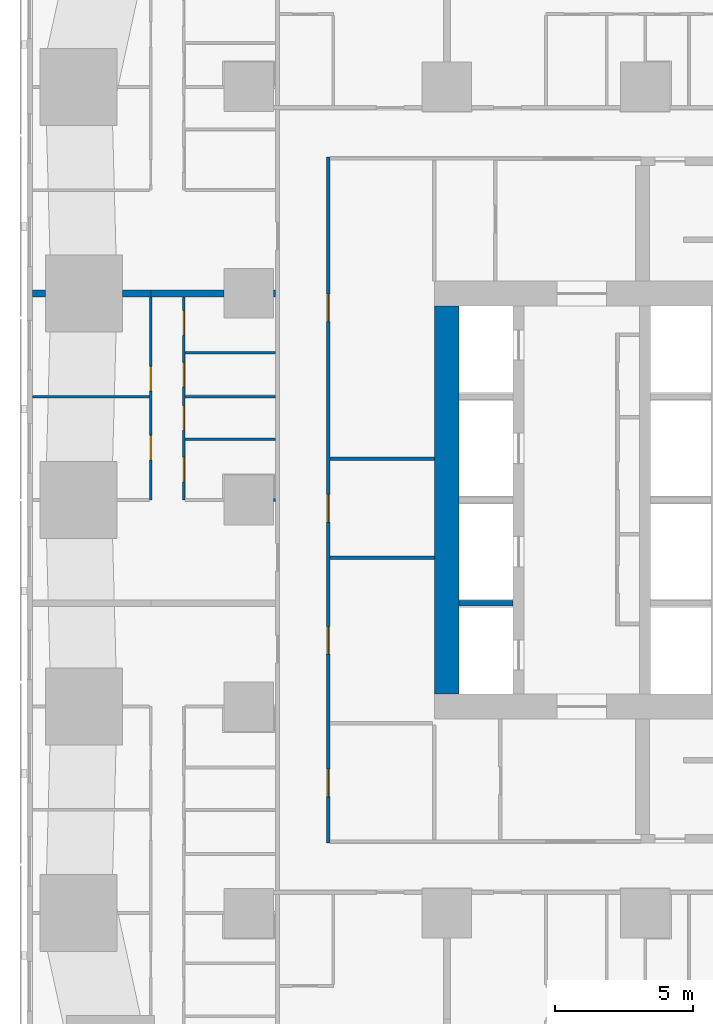
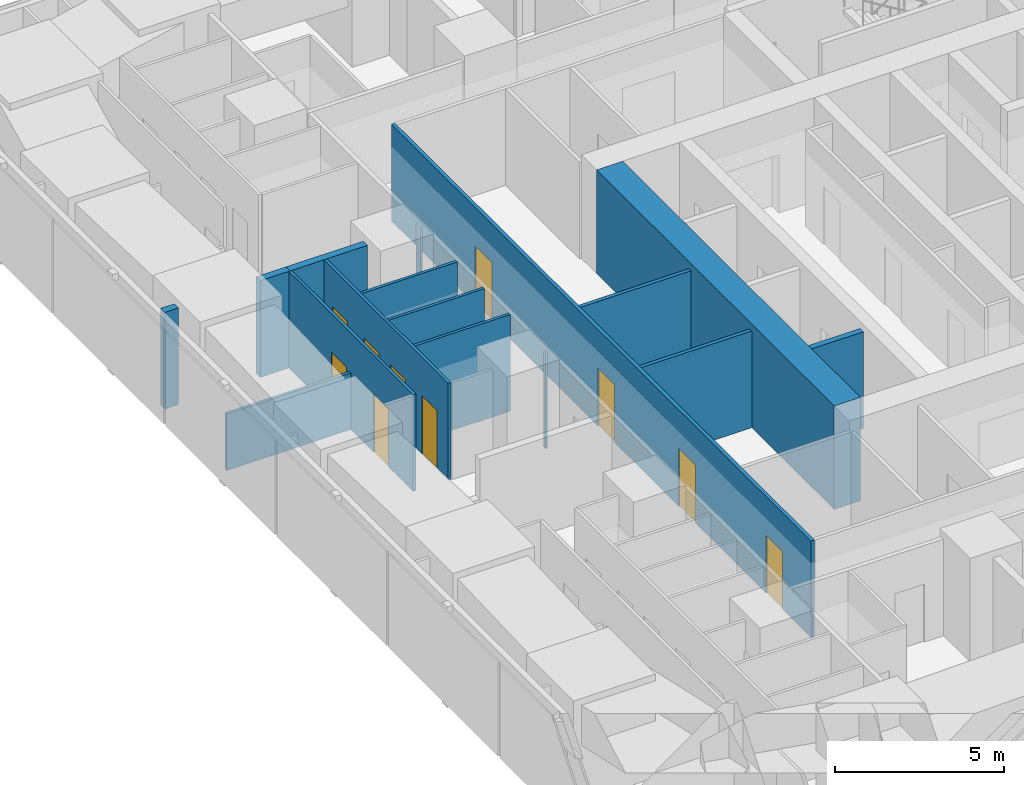
# One storey, part 7 of 18: 16 walls, 10 doors, 10 openings.
"""IFC4 building model written with IfcOpenShell, lengths in metres."""

from ifc_helpers import new_model, si_unit, direction, frame, frame_2d, origin, place, context, subcontext, project, spatial, rectangle, extrude, material, layer, layer_set, type_object, element, fill, save


model = new_model("IFC4")

# Units and contexts
model_context = context("Model", 3, precision=1e-05, world=origin(), true_north=direction((0.0, 1.0)))
body_context = subcontext(model_context, "Body", "Model", "MODEL_VIEW")
ifc_project = project(units=[si_unit("LENGTHUNIT", "METRE"), si_unit("AREAUNIT", "SQUARE_METRE"), si_unit("VOLUMEUNIT", "CUBIC_METRE"), si_unit("PLANEANGLEUNIT", "RADIAN"), si_unit("MASSUNIT", "GRAM", prefix="KILO")], contexts=[model_context])

# Site, building, storey
site_placement = place(None, origin())
site = spatial("IfcSite", under=ifc_project, at=site_placement, CompositionType="ELEMENT")
building_placement = place(site_placement, origin())
building = spatial("IfcBuilding", under=site, at=building_placement, Name="Sheger Commons Tower", CompositionType="ELEMENT")
storey_placement = place(building_placement, frame((0.0, 0.0, 38.75)))
storey = spatial("IfcBuildingStorey", under=building, at=storey_placement, Name="L09", CompositionType="ELEMENT", Elevation=38.75)

# Walls
ifc_material_1 = material(Name="Concrete C50/60", Category="concrete")
ifc_layer_1 = layer(ifc_material_1, 0.89990234375)
ifc_layer_set_1 = layer_set([ifc_layer_1], Name="CORE WALL 900")
wall_type_1 = type_object("IfcWallType", Name="CORE WALL 900", PredefinedType="SHEAR", material=ifc_layer_set_1)
wall_1_placement = place(storey_placement, frame((14.39990234375, 15.449951171875, 0.0), z_axis=(0.0, 0.0, 1.0), x_axis=(0.0, 1.0, 0.0)))
element("IfcWall", 1, at=wall_1_placement, inside=storey, type_object=wall_type_1, Name="Core wall west L09", PredefinedType="SHEAR", context=body_context, shape_type="SweptSolid", body=[
    extrude(rectangle(XDim=14.10009765625, YDim=0.89990234375, at=frame_2d((7.050048828125, 0.0))), origin(), (0.0, 0.0, 1.0), 3.75),
])
ifc_material_2 = material(Name="Dense concrete block masonry, plastered both sides (separating wall between flats)", Category="masonry")
ifc_layer_2 = layer(ifc_material_2, 0.25)
ifc_layer_set_2 = layer_set([ifc_layer_2], Name="DEMISING WALL 250")
wall_type_2 = type_object("IfcWallType", Name="DEMISING WALL 250", PredefinedType="SOLIDWALL", material=ifc_layer_set_2)
wall_2_placement = place(storey_placement, frame((-0.64990234375, 30.0, 0.0), z_axis=(0.0, 0.0, 1.0), x_axis=(1.0, 0.0, 0.0)))
element("IfcWall", 2, at=wall_2_placement, inside=storey, type_object=wall_type_2, Name="Demising wall L09", PredefinedType="SOLIDWALL", context=body_context, shape_type="SweptSolid", body=[
    extrude(rectangle(XDim=0.473876953125, YDim=0.25, at=frame_2d((0.23681640625, 0.0))), origin(), (0.0, 0.0, 1.0), 3.5),
])
wall_3_placement = place(storey_placement, frame((2.6259765625, 30.0, 0.0), z_axis=(0.0, 0.0, 1.0), x_axis=(1.0, 0.0, 0.0)))
element("IfcWall", 3, at=wall_3_placement, inside=storey, type_object=wall_type_2, Name="Demising wall L09", PredefinedType="SOLIDWALL", context=body_context, shape_type="SweptSolid", body=[
    extrude(rectangle(XDim=1.02392578125, YDim=0.25, at=frame_2d((0.511962890625, 0.0))), origin(), (0.0, 0.0, 1.0), 3.5),
])
wall_4_placement = place(storey_placement, frame((3.64990234375, 30.0, 0.0), z_axis=(0.0, 0.0, 1.0), x_axis=(1.0, 0.0, 0.0)))
element("IfcWall", 4, at=wall_4_placement, inside=storey, type_object=wall_type_2, Name="Demising wall L09", PredefinedType="SOLIDWALL", context=body_context, shape_type="SweptSolid", body=[
    extrude(rectangle(XDim=2.649169921875, YDim=0.25, at=frame_2d((1.32470703125, 0.0))), origin(), (0.0, 0.0, 1.0), 3.5),
])
wall_5_placement = place(storey_placement, frame((8.10107421875, 30.0, 0.0), z_axis=(0.0, 0.0, 1.0), x_axis=(1.0, 0.0, 0.0)))
element("IfcWall", 5, at=wall_5_placement, inside=storey, type_object=wall_type_2, Name="Demising wall L09", PredefinedType="SOLIDWALL", context=body_context, shape_type="SweptSolid", body=[
    extrude(rectangle(XDim=0.073974609375, YDim=0.25, at=frame_2d((0.037109375, 0.0))), origin(), (0.0, 0.0, 1.0), 3.5),
])

# Wall, openings, doors
ifc_material_3 = material(Name="Gypsum board on steel studs", Category="steel")
ifc_layer_3 = layer(ifc_material_3, 0.10009765625)
ifc_layer_set_3 = layer_set([ifc_layer_3], Name="PARTITION 100")
wall_type_3 = type_object("IfcWallType", Name="PARTITION 100", PredefinedType="PARTITIONING", material=ifc_layer_set_3)
wall_6_placement = place(storey_placement, frame((3.64990234375, 22.5, 0.0), z_axis=(0.0, 0.0, 1.0), x_axis=(0.0, 1.0, 0.0)))
wall_6 = element("IfcWall", 6, at=wall_6_placement, inside=storey, type_object=wall_type_3, Name="Partition L09", PredefinedType="PARTITIONING", context=body_context, shape_type="SweptSolid", body=[
    extrude(rectangle(XDim=7.375, YDim=0.10009765625, at=frame_2d((3.6875, 0.0))), origin(), (0.0, 0.0, 1.0), 3.5),
])
opening_1_placement = place(wall_6_placement, frame((1.449951171875, 0.0, 0.0)))
opening_1 = element("IfcOpeningElement", 7, at=opening_1_placement, cuts=wall_6, Name="Opening D2", PredefinedType="OPENING", context=body_context, shape_type="SweptSolid", body=[
    extrude(rectangle(XDim=0.89990234375, YDim=2.10009765625, at=frame_2d((0.449951171875, 1.050048828125))), frame((0.0, 0.06005859375, 0.0), z_axis=(0.0, -1.0, 0.0), x_axis=(1.0, 0.0, 0.0)), (0.0, 0.0, 1.0), 0.1201171875),
])
opening_2_placement = place(wall_6_placement, frame((3.949951171875, 0.0, 0.0)))
opening_2 = element("IfcOpeningElement", 8, at=opening_2_placement, cuts=wall_6, Name="Opening D2", PredefinedType="OPENING", context=body_context, shape_type="SweptSolid", body=[
    extrude(rectangle(XDim=0.89990234375, YDim=2.10009765625, at=frame_2d((0.449951171875, 1.050048828125))), frame((0.0, 0.06005859375, 0.0), z_axis=(0.0, -1.0, 0.0), x_axis=(1.0, 0.0, 0.0)), (0.0, 0.0, 1.0), 0.1201171875),
])
ifc_material_4 = material(Name="Timber door set", Category="wood")
door_type_1 = type_object("IfcDoorType", Name="INTERNAL DOOR 900x2100", OperationType="NOTDEFINED", PredefinedType="DOOR", material=ifc_material_4)
door_1_placement = place(opening_1_placement, origin())
door_1 = element("IfcDoor", 9, at=door_1_placement, inside=storey, type_object=door_type_1, Name="Main bedroom door", OperationType="SINGLE_SWING_LEFT", OverallHeight=2.10009765625, OverallWidth=0.89990234375, PredefinedType="DOOR", context=body_context, shape_type="SweptSolid", body=[
    extrude(rectangle(XDim=0.89990234375, YDim=2.10009765625, at=frame_2d((0.449951171875, 1.050048828125))), frame((0.0, 0.02490234375, 0.0), z_axis=(0.0, -1.0, 0.0), x_axis=(1.0, 0.0, 0.0)), (0.0, 0.0, 1.0), 0.050048828125),
])
fill(opening_1, door_1)
door_2_placement = place(opening_2_placement, origin())
door_2 = element("IfcDoor", 10, at=door_2_placement, inside=storey, type_object=door_type_1, Name="Bedroom 2 door", OperationType="SINGLE_SWING_LEFT", OverallHeight=2.10009765625, OverallWidth=0.89990234375, PredefinedType="DOOR", context=body_context, shape_type="SweptSolid", body=[
    extrude(rectangle(XDim=0.89990234375, YDim=2.10009765625, at=frame_2d((0.449951171875, 1.050048828125))), frame((0.0, 0.02490234375, 0.0), z_axis=(0.0, -1.0, 0.0), x_axis=(1.0, 0.0, 0.0)), (0.0, 0.0, 1.0), 0.050048828125),
])
fill(opening_2, door_2)

wall_7_placement = place(storey_placement, frame((4.85009765625, 22.5, 0.0), z_axis=(0.0, 0.0, 1.0), x_axis=(0.0, 1.0, 0.0)))
wall_7 = element("IfcWall", 11, at=wall_7_placement, inside=storey, type_object=wall_type_3, Name="Partition L09", PredefinedType="PARTITIONING", context=body_context, shape_type="SweptSolid", body=[
    extrude(rectangle(XDim=7.375, YDim=0.10009765625, at=frame_2d((3.6875, 0.0))), origin(), (0.0, 0.0, 1.0), 3.5),
])
opening_3_placement = place(wall_7_placement, frame((0.655029296875, 0.0, 0.0)))
opening_3 = element("IfcOpeningElement", 12, at=opening_3_placement, cuts=wall_7, Name="Opening D2", PredefinedType="OPENING", context=body_context, shape_type="SweptSolid", body=[
    extrude(rectangle(XDim=0.89990234375, YDim=2.10009765625, at=frame_2d((0.449951171875, 1.050048828125))), frame((0.0, 0.06005859375, 0.0), z_axis=(0.0, -1.0, 0.0), x_axis=(1.0, 0.0, 0.0)), (0.0, 0.0, 1.0), 0.1201171875),
])
opening_4_placement = place(wall_7_placement, frame((4.10009765625, 0.0, 0.0)))
opening_4 = element("IfcOpeningElement", 13, at=opening_4_placement, cuts=wall_7, Name="Opening D2", PredefinedType="OPENING", context=body_context, shape_type="SweptSolid", body=[
    extrude(rectangle(XDim=0.89990234375, YDim=2.10009765625, at=frame_2d((0.449951171875, 1.050048828125))), frame((0.0, 0.06005859375, 0.0), z_axis=(0.0, -1.0, 0.0), x_axis=(1.0, 0.0, 0.0)), (0.0, 0.0, 1.0), 0.1201171875),
])
opening_5_placement = place(wall_7_placement, frame((2.530029296875, 0.0, 0.0)))
opening_5 = element("IfcOpeningElement", 14, at=opening_5_placement, cuts=wall_7, Name="Opening D2", PredefinedType="OPENING", context=body_context, shape_type="SweptSolid", body=[
    extrude(rectangle(XDim=0.89990234375, YDim=2.10009765625, at=frame_2d((0.449951171875, 1.050048828125))), frame((0.0, 0.06005859375, 0.0), z_axis=(0.0, -1.0, 0.0), x_axis=(1.0, 0.0, 0.0)), (0.0, 0.0, 1.0), 0.1201171875),
])
opening_6_placement = place(wall_7_placement, frame((5.97509765625, 0.0, 0.0)))
opening_6 = element("IfcOpeningElement", 15, at=opening_6_placement, cuts=wall_7, Name="Opening D2", PredefinedType="OPENING", context=body_context, shape_type="SweptSolid", body=[
    extrude(rectangle(XDim=0.89990234375, YDim=2.10009765625, at=frame_2d((0.449951171875, 1.050048828125))), frame((0.0, 0.06005859375, 0.0), z_axis=(0.0, -1.0, 0.0), x_axis=(1.0, 0.0, 0.0)), (0.0, 0.0, 1.0), 0.1201171875),
])
door_3_placement = place(opening_3_placement, origin())
door_3 = element("IfcDoor", 16, at=door_3_placement, inside=storey, type_object=door_type_1, Name="Bathroom door", OperationType="SINGLE_SWING_RIGHT", OverallHeight=2.10009765625, OverallWidth=0.89990234375, PredefinedType="DOOR", context=body_context, shape_type="SweptSolid", body=[
    extrude(rectangle(XDim=0.89990234375, YDim=2.10009765625, at=frame_2d((0.449951171875, 1.050048828125))), frame((0.0, 0.02490234375, 0.0), z_axis=(0.0, -1.0, 0.0), x_axis=(1.0, 0.0, 0.0)), (0.0, 0.0, 1.0), 0.050048828125),
])
fill(opening_3, door_3)
door_4_placement = place(opening_4_placement, origin())
door_4 = element("IfcDoor", 17, at=door_4_placement, inside=storey, type_object=door_type_1, Name="Shower room door", OperationType="SINGLE_SWING_RIGHT", OverallHeight=2.10009765625, OverallWidth=0.89990234375, PredefinedType="DOOR", context=body_context, shape_type="SweptSolid", body=[
    extrude(rectangle(XDim=0.89990234375, YDim=2.10009765625, at=frame_2d((0.449951171875, 1.050048828125))), frame((0.0, 0.02490234375, 0.0), z_axis=(0.0, -1.0, 0.0), x_axis=(1.0, 0.0, 0.0)), (0.0, 0.0, 1.0), 0.050048828125),
])
fill(opening_4, door_4)
door_5_placement = place(opening_5_placement, origin())
door_5 = element("IfcDoor", 18, at=door_5_placement, inside=storey, type_object=door_type_1, Name="Store door", OperationType="SINGLE_SWING_RIGHT", OverallHeight=2.10009765625, OverallWidth=0.89990234375, PredefinedType="DOOR", context=body_context, shape_type="SweptSolid", body=[
    extrude(rectangle(XDim=0.89990234375, YDim=2.10009765625, at=frame_2d((0.449951171875, 1.050048828125))), frame((0.0, 0.02490234375, 0.0), z_axis=(0.0, -1.0, 0.0), x_axis=(1.0, 0.0, 0.0)), (0.0, 0.0, 1.0), 0.050048828125),
])
fill(opening_5, door_5)
door_6_placement = place(opening_6_placement, origin())
door_6 = element("IfcDoor", 19, at=door_6_placement, inside=storey, type_object=door_type_1, Name="Store door", OperationType="SINGLE_SWING_LEFT", OverallHeight=2.10009765625, OverallWidth=0.89990234375, PredefinedType="DOOR", context=body_context, shape_type="SweptSolid", body=[
    extrude(rectangle(XDim=0.89990234375, YDim=2.10009765625, at=frame_2d((0.449951171875, 1.050048828125))), frame((0.0, 0.02490234375, 0.0), z_axis=(0.0, -1.0, 0.0), x_axis=(1.0, 0.0, 0.0)), (0.0, 0.0, 1.0), 0.050048828125),
])
fill(opening_6, door_6)

# Walls
wall_8_placement = place(storey_placement, frame((-0.64990234375, 26.25, 0.0), z_axis=(0.0, 0.0, 1.0), x_axis=(1.0, 0.0, 0.0)))
element("IfcWall", 20, at=wall_8_placement, inside=storey, type_object=wall_type_3, Name="Partition L09", PredefinedType="PARTITIONING", context=body_context, shape_type="SweptSolid", body=[
    extrude(rectangle(XDim=4.25, YDim=0.10009765625, at=frame_2d((2.125, 0.0))), origin(), (0.0, 0.0, 1.0), 2.050048828125),
])
wall_9_placement = place(storey_placement, frame((8.10107421875, 22.5, 0.0), z_axis=(0.0, 0.0, 1.0), x_axis=(1.0, 0.0, 0.0)))
element("IfcWall", 21, at=wall_9_placement, inside=storey, type_object=wall_type_3, Name="Partition L09", PredefinedType="PARTITIONING", context=body_context, shape_type="SweptSolid", body=[
    extrude(rectangle(XDim=0.073974609375, YDim=0.10009765625, at=frame_2d((0.037109375, 0.0))), origin(), (0.0, 0.0, 1.0), 3.5),
])
for number, where, z_axis, x_axis, name in (
    (22, (4.89990234375, 26.25, 0.0), (0.0, 0.0, 1.0), (1.0, 0.0, 0.0), "Partition L09"),
    (23, (4.89990234375, 24.7099609375, 0.0), (0.0, 0.0, 1.0), (1.0, 0.0, 0.0), "Partition L09"),
    (24, (4.89990234375, 27.85009765625, 0.0), (0.0, 0.0, 1.0), (1.0, 0.0, 0.0), "Partition L09"),
):
    element("IfcWall", number, at=place(storey_placement, frame(where, z_axis=z_axis, x_axis=x_axis)), inside=storey, type_object=wall_type_3, Name=name, PredefinedType="PARTITIONING", context=body_context, shape_type="SweptSolid", body=[
        extrude(rectangle(XDim=3.275146484375, YDim=0.10009765625, at=frame_2d((1.6376953125, 0.0))), origin(), (0.0, 0.0, 1.0), 3.5),
    ])

# Wall, openings, doors
ifc_material_5 = material(Name="Gypsum board on steel studs, two layers each side, fire rated", Category="steel")
ifc_layer_4 = layer(ifc_material_5, 0.125)
ifc_layer_set_4 = layer_set([ifc_layer_4], Name="SERVICE WALL 125")
wall_type_4 = type_object("IfcWallType", Name="SERVICE WALL 125", PredefinedType="PARTITIONING", material=ifc_layer_set_4)
wall_10_placement = place(storey_placement, frame((10.10009765625, 10.050048828125, 0.0), z_axis=(0.0, 0.0, 1.0), x_axis=(0.0, 1.0, 0.0)))
wall_10 = element("IfcWall", 25, at=wall_10_placement, inside=storey, type_object=wall_type_4, Name="Service room wall L09", PredefinedType="PARTITIONING", context=body_context, shape_type="SweptSolid", body=[
    extrude(rectangle(XDim=24.89990234375, YDim=0.125, at=frame_2d((12.449951171875, 0.0))), origin(), (0.0, 0.0, 1.0), 3.5),
])
opening_7_placement = place(wall_10_placement, frame((1.675048828125, 0.0, 0.0)))
opening_7 = element("IfcOpeningElement", 26, at=opening_7_placement, cuts=wall_10, Name="Opening D4", PredefinedType="OPENING", context=body_context, shape_type="SweptSolid", body=[
    extrude(rectangle(XDim=1.0, YDim=2.10009765625, at=frame_2d((0.5, 1.050048828125))), frame((0.0, 0.072509765625, 0.0), z_axis=(0.0, -1.0, 0.0), x_axis=(1.0, 0.0, 0.0)), (0.0, 0.0, 1.0), 0.14501953125),
])
opening_8_placement = place(wall_10_placement, frame((6.85009765625, 0.0, 0.0)))
opening_8 = element("IfcOpeningElement", 27, at=opening_8_placement, cuts=wall_10, Name="Opening D4", PredefinedType="OPENING", context=body_context, shape_type="SweptSolid", body=[
    extrude(rectangle(XDim=1.0, YDim=2.10009765625, at=frame_2d((0.5, 1.050048828125))), frame((0.0, 0.072509765625, 0.0), z_axis=(0.0, -1.0, 0.0), x_axis=(1.0, 0.0, 0.0)), (0.0, 0.0, 1.0), 0.14501953125),
])
opening_9_placement = place(wall_10_placement, frame((11.64990234375, 0.0, 0.0)))
opening_9 = element("IfcOpeningElement", 28, at=opening_9_placement, cuts=wall_10, Name="Opening D4", PredefinedType="OPENING", context=body_context, shape_type="SweptSolid", body=[
    extrude(rectangle(XDim=1.0, YDim=2.10009765625, at=frame_2d((0.5, 1.050048828125))), frame((0.0, 0.072509765625, 0.0), z_axis=(0.0, -1.0, 0.0), x_axis=(1.0, 0.0, 0.0)), (0.0, 0.0, 1.0), 0.14501953125),
])
opening_10_placement = place(wall_10_placement, frame((18.925048828125, 0.0, 0.0)))
opening_10 = element("IfcOpeningElement", 29, at=opening_10_placement, cuts=wall_10, Name="Opening D4", PredefinedType="OPENING", context=body_context, shape_type="SweptSolid", body=[
    extrude(rectangle(XDim=1.0, YDim=2.10009765625, at=frame_2d((0.5, 1.050048828125))), frame((0.0, 0.072509765625, 0.0), z_axis=(0.0, -1.0, 0.0), x_axis=(1.0, 0.0, 0.0)), (0.0, 0.0, 1.0), 0.14501953125),
])
ifc_material_6 = material(Name="Steel door set, fire rated", Category="steel")
door_type_2 = type_object("IfcDoorType", Name="SERVICE DOOR 1000x2100", OperationType="NOTDEFINED", PredefinedType="DOOR", material=ifc_material_6)
door_7_placement = place(opening_7_placement, origin())
door_7 = element("IfcDoor", 30, at=door_7_placement, inside=storey, type_object=door_type_2, Name="Refuse chute room door", OperationType="SINGLE_SWING_RIGHT", OverallHeight=2.10009765625, OverallWidth=1.0, PredefinedType="DOOR", context=body_context, shape_type="SweptSolid", body=[
    extrude(rectangle(XDim=1.0, YDim=2.10009765625, at=frame_2d((0.5, 1.050048828125))), frame((0.0, 0.02490234375, 0.0), z_axis=(0.0, -1.0, 0.0), x_axis=(1.0, 0.0, 0.0)), (0.0, 0.0, 1.0), 0.050048828125),
])
fill(opening_7, door_7)
door_8_placement = place(opening_8_placement, origin())
door_8 = element("IfcDoor", 31, at=door_8_placement, inside=storey, type_object=door_type_2, Name="Parcel and delivery room door", OperationType="SINGLE_SWING_LEFT", OverallHeight=2.10009765625, OverallWidth=1.0, PredefinedType="DOOR", context=body_context, shape_type="SweptSolid", body=[
    extrude(rectangle(XDim=1.0, YDim=2.10009765625, at=frame_2d((0.5, 1.050048828125))), frame((0.0, 0.02490234375, 0.0), z_axis=(0.0, -1.0, 0.0), x_axis=(1.0, 0.0, 0.0)), (0.0, 0.0, 1.0), 0.050048828125),
])
fill(opening_8, door_8)
door_9_placement = place(opening_9_placement, origin())
door_9 = element("IfcDoor", 32, at=door_9_placement, inside=storey, type_object=door_type_2, Name="Cleaner's store door", OperationType="SINGLE_SWING_LEFT", OverallHeight=2.10009765625, OverallWidth=1.0, PredefinedType="DOOR", context=body_context, shape_type="SweptSolid", body=[
    extrude(rectangle(XDim=1.0, YDim=2.10009765625, at=frame_2d((0.5, 1.050048828125))), frame((0.0, 0.02490234375, 0.0), z_axis=(0.0, -1.0, 0.0), x_axis=(1.0, 0.0, 0.0)), (0.0, 0.0, 1.0), 0.050048828125),
])
fill(opening_9, door_9)
door_10_placement = place(opening_10_placement, origin())
door_10 = element("IfcDoor", 33, at=door_10_placement, inside=storey, type_object=door_type_2, Name="Residents' gym door", OperationType="SINGLE_SWING_LEFT", OverallHeight=2.10009765625, OverallWidth=1.0, PredefinedType="DOOR", context=body_context, shape_type="SweptSolid", body=[
    extrude(rectangle(XDim=1.0, YDim=2.10009765625, at=frame_2d((0.5, 1.050048828125))), frame((0.0, 0.02490234375, 0.0), z_axis=(0.0, -1.0, 0.0), x_axis=(1.0, 0.0, 0.0)), (0.0, 0.0, 1.0), 0.050048828125),
])
fill(opening_10, door_10)

# Walls
for number, where, z_axis, x_axis, name in (
    (34, (10.1630859375, 20.39990234375, 0.0), (0.0, 0.0, 1.0), (1.0, 0.0, 0.0), "Service room wall L09"),
    (35, (10.1630859375, 24.0, 0.0), (0.0, 0.0, 1.0), (1.0, 0.0, 0.0), "Service room wall L09"),
):
    element("IfcWall", number, at=place(storey_placement, frame(where, z_axis=z_axis, x_axis=x_axis)), inside=storey, type_object=wall_type_4, Name=name, PredefinedType="PARTITIONING", context=body_context, shape_type="SweptSolid", body=[
        extrude(rectangle(XDim=3.786865234375, YDim=0.125, at=frame_2d((1.8935546875, 0.0))), origin(), (0.0, 0.0, 1.0), 3.5),
    ])
ifc_material_7 = material(Name="Hollow concrete block masonry", Category="masonry")
ifc_layer_5 = layer(ifc_material_7, 0.199951171875)
ifc_layer_set_5 = layer_set([ifc_layer_5], Name="SHAFT WALL 200")
wall_type_5 = type_object("IfcWallType", Name="SHAFT WALL 200", PredefinedType="SOLIDWALL", material=ifc_layer_set_5)
wall_11_placement = place(storey_placement, frame((14.85009765625, 18.75, 0.0), z_axis=(0.0, 0.0, 1.0), x_axis=(1.0, 0.0, 0.0)))
element("IfcWall", 36, at=wall_11_placement, inside=storey, type_object=wall_type_5, Name="Lift shaft wall L09", PredefinedType="SOLIDWALL", context=body_context, shape_type="SweptSolid", body=[
    extrude(rectangle(XDim=1.949951171875, YDim=0.199951171875, at=frame_2d((0.97509765625, 0.0))), origin(), (0.0, 0.0, 1.0), 3.5),
])

save(model, "model.ifc")
